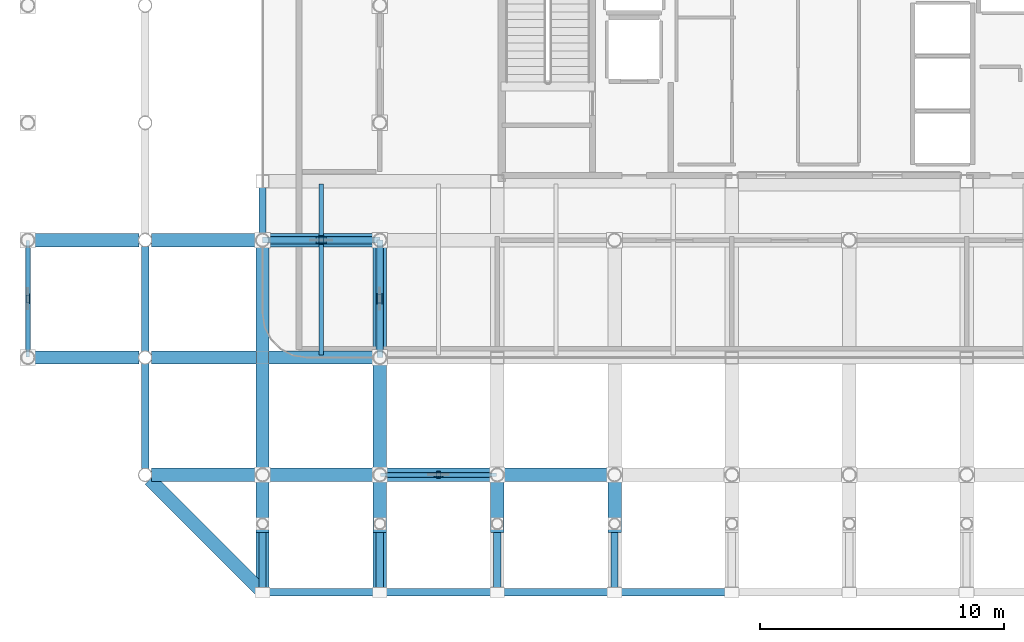
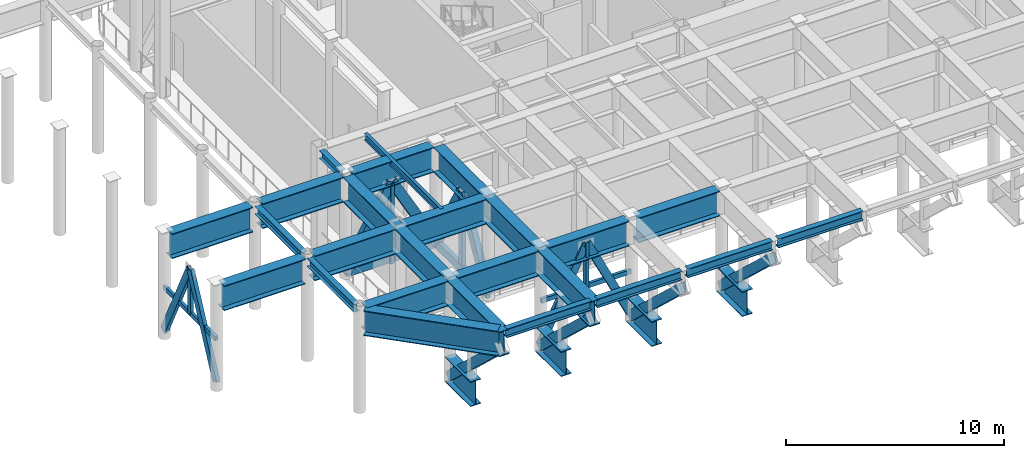
# One storey, part 4 of 20: 25 beams, 20 members.
"""IFC4 building model written with IfcOpenShell, lengths in metres."""

from ifc_helpers import new_model, si_unit, direction, frame, origin, origin_2d, place, context, subcontext, project, spatial, hollow_rectangle, i_section, extrude, material, material_profile, profile_set, type_object, element, save


model = new_model("IFC4")

# Units and contexts
model_context = context("Model", 3, precision=1e-05, world=origin(), true_north=direction((0.0, 1.0)))
body_context = subcontext(model_context, "Body", "Model", "MODEL_VIEW")
ifc_project = project(units=[si_unit("LENGTHUNIT", "METRE"), si_unit("AREAUNIT", "SQUARE_METRE"), si_unit("VOLUMEUNIT", "CUBIC_METRE"), si_unit("PLANEANGLEUNIT", "RADIAN"), si_unit("MASSUNIT", "GRAM", prefix="KILO")], contexts=[model_context])

# Site, building, storey
site_placement = place(None, origin())
site = spatial("IfcSite", under=ifc_project, at=site_placement, CompositionType="ELEMENT")
building_placement = place(site_placement, origin())
building = spatial("IfcBuilding", under=site, at=building_placement, Name="Kallvorn Hotel Tower", CompositionType="ELEMENT")
storey_placement = place(building_placement, frame((0.0, 0.0, 276.199951171875)))
storey = spatial("IfcBuildingStorey", under=building, at=storey_placement, Name="L69", CompositionType="ELEMENT", Elevation=276.199951171875)

# Beams
ifc_material_1 = material(Name="Structural steel S355JR", Category="steel")
ifc_material_profile_1 = material_profile(ifc_material_1, i_section(OverallWidth=0.300048828125, OverallDepth=0.43994140625, WebThickness=0.011474609375, FlangeThickness=0.02099609375, at=origin_2d()), Name="HE 450 A")
ifc_profile_set_1 = profile_set([ifc_material_profile_1], Name="Structural steel S355JR")
beam_type_1 = type_object("IfcBeamType", Name="BM_HE450A", PredefinedType="BEAM", material=ifc_profile_set_1)
for number, where, z_axis, x_axis, name in (
    (1, (-28.800048828125, -18.945556640625, 5.580078125), (0.0, 1.0, 0.0), (-1.0, 0.0, 0.0), "L70 Primary Y-Girder 89"),
    (2, (-28.800048828125, -14.1455078125, 5.580078125), (0.0, 1.0, 0.0), (-1.0, 0.0, 0.0), "L70 Primary Y-Girder 90"),
):
    element("IfcBeam", number, at=place(storey_placement, frame(where, z_axis=z_axis, x_axis=x_axis)), inside=storey, type_object=beam_type_1, Name=name, PredefinedType="BEAM", context=body_context, shape_type="SweptSolid", body=[
        extrude(i_section(OverallWidth=0.300048828125, OverallDepth=0.43994140625, WebThickness=0.011474609375, FlangeThickness=0.02099609375, at=origin_2d()), origin(), (0.0, 0.0, 1.0), 4.291015625),
    ])
beam_1_placement = place(storey_placement, frame((-24.0, -9.345458984375, 5.580078125), z_axis=(0.0, 1.0, 0.0), x_axis=(-1.0, 0.0, 0.0)))
element("IfcBeam", 3, at=beam_1_placement, inside=storey, type_object=beam_type_1, Name="L70 Primary Y-Girder 100", PredefinedType="BEAM", context=body_context, shape_type="SweptSolid", body=[
    extrude(i_section(OverallWidth=0.300048828125, OverallDepth=0.43994140625, WebThickness=0.011474609375, FlangeThickness=0.02099609375, at=origin_2d()), origin(), (0.0, 0.0, 1.0), 1.8955078125),
])
ifc_material_2 = material(Name="Structural steel S355JR", Category="steel")
ifc_material_profile_2 = material_profile(ifc_material_2, i_section(OverallWidth=0.300048828125, OverallDepth=0.5, WebThickness=0.014404296875, FlangeThickness=0.028076171875, at=origin_2d()), Name="HE 500 B")
ifc_profile_set_2 = profile_set([ifc_material_profile_2], Name="Structural steel S355JR")
beam_type_2 = type_object("IfcBeamType", Name="BM_HE500B", PredefinedType="SPANDREL", material=ifc_profile_set_2)
for number, where, z_axis, x_axis, name in (
    (4, (-23.85009765625, -24.0, 5.550048828125), (1.0, 0.0, 0.0), (0.0, 1.0, 0.0), "L70 Perimeter Spandrel 167"),
    (5, (-19.050048828125, -24.0, 5.550048828125), (1.0, 0.0, 0.0), (0.0, 1.0, 0.0), "L70 Perimeter Spandrel 168"),
    (6, (-14.25, -24.0, 5.550048828125), (1.0, 0.0, 0.0), (0.0, 1.0, 0.0), "L70 Perimeter Spandrel 169"),
    (7, (-9.449951171875, -24.0, 5.550048828125), (1.0, 0.0, 0.0), (0.0, 1.0, 0.0), "L70 Perimeter Spandrel 170"),
):
    element("IfcBeam", number, at=place(storey_placement, frame(where, z_axis=z_axis, x_axis=x_axis)), inside=storey, type_object=beam_type_2, Name=name, PredefinedType="SPANDREL", context=body_context, shape_type="SweptSolid", body=[
        extrude(i_section(OverallWidth=0.300048828125, OverallDepth=0.5, WebThickness=0.014404296875, FlangeThickness=0.028076171875, at=origin_2d()), origin(), (0.0, 0.0, 1.0), 4.5),
    ])
ifc_material_3 = material(Name="Structural steel S355JR", Category="steel")
ifc_material_profile_3 = material_profile(ifc_material_3, i_section(OverallWidth=0.169921875, OverallDepth=0.360107421875, WebThickness=0.008056640625, FlangeThickness=0.0126953125, at=origin_2d()), Name="IPE 360")
ifc_profile_set_3 = profile_set([ifc_material_profile_3], Name="Structural steel S355JR")
beam_type_3 = type_object("IfcBeamType", Name="BM_IPE360", PredefinedType="JOIST", material=ifc_profile_set_3)
beam_2_placement = place(storey_placement, frame((-21.60009765625, -14.300048828125, 5.6201171875), z_axis=(0.0, 1.0, 0.0), x_axis=(-1.0, 0.0, 0.0)))
element("IfcBeam", 8, at=beam_2_placement, inside=storey, type_object=beam_type_3, Name="L70 Secondary Composite Joist 203", PredefinedType="JOIST", context=body_context, shape_type="SweptSolid", body=[
    extrude(i_section(OverallWidth=0.169921875, OverallDepth=0.360107421875, WebThickness=0.008056640625, FlangeThickness=0.0126953125, at=origin_2d()), origin(), (0.0, 0.0, 1.0), 7.0),
])
ifc_material_4 = material(Name="Structural steel S355JR", Category="steel")
ifc_material_profile_4 = material_profile(ifc_material_4, i_section(OverallWidth=0.550048828125, OverallDepth=1.39990234375, WebThickness=0.02490234375, FlangeThickness=0.044921875, at=origin_2d()), Name="PG 1400x550x25x45")
ifc_profile_set_4 = profile_set([ifc_material_profile_4], Name="Structural steel S355JR")
beam_type_4 = type_object("IfcBeamType", Name="BM_PG_1400", PredefinedType="BEAM", material=ifc_profile_set_4)
beam_3_placement = place(storey_placement, frame((-24.0, -9.869384765625, 5.10009765625), z_axis=(0.0, -1.0, 0.0), x_axis=(1.0, 0.0, 0.0)))
element("IfcBeam", 9, at=beam_3_placement, inside=storey, type_object=beam_type_4, Name="L70 Continuous Cantilever Transfer Girder 01", PredefinedType="BEAM", context=body_context, shape_type="SweptSolid", body=[
    extrude(i_section(OverallWidth=0.550048828125, OverallDepth=1.39990234375, WebThickness=0.02490234375, FlangeThickness=0.044921875, at=origin_2d()), origin(), (0.0, 0.0, 1.0), 14.310546875),
])
beam_4_placement = place(storey_placement, frame((-24.0, -19.199951171875, 0.719970703125), z_axis=(0.0, -1.0, 0.0), x_axis=(1.0, 0.0, 0.0)))
element("IfcBeam", 10, at=beam_4_placement, inside=storey, type_object=beam_type_4, Name="L70 Cantilever Haunch Corbel 01", PredefinedType="BEAM", context=body_context, shape_type="SweptSolid", body=[
    extrude(i_section(OverallWidth=0.550048828125, OverallDepth=1.39990234375, WebThickness=0.02490234375, FlangeThickness=0.044921875, at=origin_2d()), origin(), (0.0, 0.0, 1.0), 2.35009765625),
])
beam_5_placement = place(storey_placement, frame((-19.199951171875, -9.869384765625, 5.10009765625), z_axis=(0.0, -1.0, 0.0), x_axis=(1.0, 0.0, 0.0)))
element("IfcBeam", 11, at=beam_5_placement, inside=storey, type_object=beam_type_4, Name="L70 Continuous Cantilever Transfer Girder 02", PredefinedType="BEAM", context=body_context, shape_type="SweptSolid", body=[
    extrude(i_section(OverallWidth=0.550048828125, OverallDepth=1.39990234375, WebThickness=0.02490234375, FlangeThickness=0.044921875, at=origin_2d()), origin(), (0.0, 0.0, 1.0), 14.310546875),
])
for number, where, z_axis, x_axis, name in (
    (12, (-19.199951171875, -19.199951171875, 0.719970703125), (0.0, -1.0, 0.0), (1.0, 0.0, 0.0), "L70 Cantilever Haunch Corbel 02"),
    (13, (-14.39990234375, -19.199951171875, 0.719970703125), (0.0, -1.0, 0.0), (1.0, 0.0, 0.0), "L70 Cantilever Haunch Corbel 03"),
    (14, (-9.60009765625, -19.199951171875, 0.719970703125), (0.0, -1.0, 0.0), (1.0, 0.0, 0.0), "L70 Cantilever Haunch Corbel 04"),
):
    element("IfcBeam", number, at=place(storey_placement, frame(where, z_axis=z_axis, x_axis=x_axis)), inside=storey, type_object=beam_type_4, Name=name, PredefinedType="BEAM", context=body_context, shape_type="SweptSolid", body=[
        extrude(i_section(OverallWidth=0.550048828125, OverallDepth=1.39990234375, WebThickness=0.02490234375, FlangeThickness=0.044921875, at=origin_2d()), origin(), (0.0, 0.0, 1.0), 2.35009765625),
    ])
for number, where, z_axis, x_axis, name in (
    (15, (-28.54541015625, -19.199951171875, 5.10009765625), (1.0, 0.0, 0.0), (0.0, 1.0, 0.0), "L70 Primary X-Girder 17"),
    (16, (-23.74560546875, -19.199951171875, 5.10009765625), (1.0, 0.0, 0.0), (0.0, 1.0, 0.0), "L70 Primary X-Girder 18"),
    (17, (-18.945556640625, -19.199951171875, 5.10009765625), (1.0, 0.0, 0.0), (0.0, 1.0, 0.0), "L70 Primary X-Girder 19"),
    (18, (-14.1455078125, -19.199951171875, 5.10009765625), (1.0, 0.0, 0.0), (0.0, 1.0, 0.0), "L70 Primary X-Girder 20"),
    (19, (-33.345458984375, -14.39990234375, 5.10009765625), (1.0, 0.0, 0.0), (0.0, 1.0, 0.0), "L70 Primary X-Girder 29"),
):
    element("IfcBeam", number, at=place(storey_placement, frame(where, z_axis=z_axis, x_axis=x_axis)), inside=storey, type_object=beam_type_4, Name=name, PredefinedType="BEAM", context=body_context, shape_type="SweptSolid", body=[
        extrude(i_section(OverallWidth=0.550048828125, OverallDepth=1.39990234375, WebThickness=0.02490234375, FlangeThickness=0.044921875, at=origin_2d()), origin(), (0.0, 0.0, 1.0), 4.291015625),
    ])
for number, where, z_axis, x_axis, name in (
    (20, (-28.54541015625, -14.39990234375, 5.10009765625), (1.0, 0.0, 0.0), (0.0, 1.0, 0.0), "L70 Primary X-Girder 30"),
    (21, (-23.75, -14.39990234375, 5.10009765625), (1.0, 0.0, 0.0), (0.0, 1.0, 0.0), "L70 Primary X-Girder 31"),
):
    element("IfcBeam", number, at=place(storey_placement, frame(where, z_axis=z_axis, x_axis=x_axis)), inside=storey, type_object=beam_type_4, Name=name, PredefinedType="BEAM", context=body_context, shape_type="SweptSolid", body=[
        extrude(i_section(OverallWidth=0.550048828125, OverallDepth=1.39990234375, WebThickness=0.02490234375, FlangeThickness=0.044921875, at=origin_2d()), origin(), (0.0, 0.0, 1.0), 4.29541015625),
    ])
for number, where, z_axis, x_axis, name in (
    (22, (-33.345458984375, -9.60009765625, 5.10009765625), (1.0, 0.0, 0.0), (0.0, 1.0, 0.0), "L70 Primary X-Girder 39"),
    (23, (-28.54541015625, -9.60009765625, 5.10009765625), (1.0, 0.0, 0.0), (0.0, 1.0, 0.0), "L70 Primary X-Girder 40"),
    (24, (-23.74560546875, -9.60009765625, 5.10009765625), (1.0, 0.0, 0.0), (0.0, 1.0, 0.0), "L70 Primary X-Girder 41"),
):
    element("IfcBeam", number, at=place(storey_placement, frame(where, z_axis=z_axis, x_axis=x_axis)), inside=storey, type_object=beam_type_4, Name=name, PredefinedType="BEAM", context=body_context, shape_type="SweptSolid", body=[
        extrude(i_section(OverallWidth=0.550048828125, OverallDepth=1.39990234375, WebThickness=0.02490234375, FlangeThickness=0.044921875, at=origin_2d()), origin(), (0.0, 0.0, 1.0), 4.291015625),
    ])
beam_6_placement = place(storey_placement, frame((-28.609375, -19.390625, 5.10009765625), z_axis=(0.707106781187, -0.707106781187, 0.0), x_axis=(0.707106781187, 0.707106781187, 0.0)))
element("IfcBeam", 25, at=beam_6_placement, inside=storey, type_object=beam_type_4, Name="L70 Rounded Corner Tie Beam 199", PredefinedType="BEAM", context=body_context, shape_type="SweptSolid", body=[
    extrude(i_section(OverallWidth=0.550048828125, OverallDepth=1.39990234375, WebThickness=0.02490234375, FlangeThickness=0.044921875, at=origin_2d()), origin(), (0.0, 0.0, 1.0), 6.368408203125),
])

# Members
ifc_material_5 = material(Name="Structural steel S355J2H", Category="steel")
ifc_material_profile_5 = material_profile(ifc_material_5, hollow_rectangle(XDim=0.199951171875, YDim=0.39990234375, WallThickness=0.02001953125, at=origin_2d()), Name="RHS 400x200x20")
ifc_profile_set_5 = profile_set([ifc_material_profile_5], Name="Structural steel S355J2H")
member_type_1 = type_object("IfcMemberType", Name="MBR_BELT_RHS400", PredefinedType="BRACE", material=ifc_profile_set_5)
for number, where, z_axis, x_axis, name in (
    (26, (-19.191162109375, -19.199951171875, 0.3681640625), (0.440591160242, 0.0, 0.897707875378), (0.0, 1.0, 0.0), "L69 Belt Truss Diagonal 1A"),
    (27, (-14.40869140625, -19.199951171875, 0.3681640625), (-0.440627546055, 0.0, 0.897690016463), (0.0, -1.0, 0.0), "L69 Belt Truss Diagonal 1B"),
    (28, (-33.60009765625, -14.39111328125, 0.3681640625), (0.0, 0.440591160242, 0.897707875378), (-1.0, 0.0, 0.0), "L69 Belt Truss Diagonal 5A"),
    (29, (-33.60009765625, -9.60888671875, 0.3681640625), (0.0, -0.440591160242, 0.897707875378), (1.0, 0.0, 0.0), "L69 Belt Truss Diagonal 5B"),
):
    element("IfcMember", number, at=place(storey_placement, frame(where, z_axis=z_axis, x_axis=x_axis)), inside=storey, type_object=member_type_1, Name=name, PredefinedType="BRACE", context=body_context, shape_type="SweptSolid", body=[
        extrude(hollow_rectangle(XDim=0.199951171875, YDim=0.39990234375, WallThickness=0.02001953125, at=origin_2d()), origin(), (0.0, 0.0, 1.0), 5.4072265625),
    ])
ifc_material_6 = material(Name="Structural steel S355J2H", Category="steel")
ifc_material_profile_6 = material_profile(ifc_material_6, hollow_rectangle(XDim=0.25, YDim=0.449951171875, WallThickness=0.02197265625, at=origin_2d()), Name="RHS 450x250x22")
ifc_profile_set_6 = profile_set([ifc_material_profile_6], Name="Structural steel S355J2H")
member_type_2 = type_object("IfcMemberType", Name="MBR_CHORD_RHS450", PredefinedType="CHORD", material=ifc_profile_set_6)
member_1_placement = place(storey_placement, frame((-24.0, -9.60009765625, 0.239990234375), z_axis=(1.0, 0.0, 0.0), x_axis=(0.0, 1.0, 0.0)))
element("IfcMember", 30, at=member_1_placement, inside=storey, type_object=member_type_2, Name="L69 Outrigger Truss Bottom Chord OTW1", PredefinedType="CHORD", context=body_context, shape_type="SweptSolid", body=[
    extrude(hollow_rectangle(XDim=0.25, YDim=0.449951171875, WallThickness=0.02197265625, at=origin_2d()), origin(), (0.0, 0.0, 1.0), 4.800048828125),
])
member_2_placement = place(storey_placement, frame((-19.199951171875, -14.39990234375, 0.239990234375), z_axis=(0.0, 1.0, 0.0), x_axis=(-1.0, 0.0, 0.0)))
element("IfcMember", 31, at=member_2_placement, inside=storey, type_object=member_type_2, Name="L69 Outrigger Truss Bottom Chord OTS1", PredefinedType="CHORD", context=body_context, shape_type="SweptSolid", body=[
    extrude(hollow_rectangle(XDim=0.25, YDim=0.449951171875, WallThickness=0.02197265625, at=origin_2d()), origin(), (0.0, 0.0, 1.0), 4.7998046875),
])
ifc_material_7 = material(Name="Structural steel S355J2H", Category="steel")
ifc_material_profile_7 = material_profile(ifc_material_7, hollow_rectangle(XDim=0.14990234375, YDim=0.25, WallThickness=0.010009765625, at=origin_2d()), Name="RHS 250x150x10")
ifc_profile_set_7 = profile_set([ifc_material_profile_7], Name="Structural steel S355J2H")
member_type_3 = type_object("IfcMemberType", Name="MBR_COLLAR_RHS250", PredefinedType="COLLAR", material=ifc_profile_set_7)
member_3_placement = place(storey_placement, frame((-19.179931640625, -19.199951171875, 2.775146484375), z_axis=(1.0, 0.0, 0.0), x_axis=(0.0, 1.0, 0.0)))
element("IfcMember", 32, at=member_3_placement, inside=storey, type_object=member_type_3, Name="L69 Belt Truss Tie Collar 1", PredefinedType="COLLAR", context=body_context, shape_type="SweptSolid", body=[
    extrude(hollow_rectangle(XDim=0.14990234375, YDim=0.25, WallThickness=0.010009765625, at=origin_2d()), origin(), (0.0, 0.0, 1.0), 4.760009765625),
])
member_4_placement = place(storey_placement, frame((-33.60009765625, -14.3798828125, 2.775146484375), z_axis=(0.0, 1.0, 0.0), x_axis=(-1.0, 0.0, 0.0)))
element("IfcMember", 33, at=member_4_placement, inside=storey, type_object=member_type_3, Name="L69 Belt Truss Tie Collar 5", PredefinedType="COLLAR", context=body_context, shape_type="SweptSolid", body=[
    extrude(hollow_rectangle(XDim=0.14990234375, YDim=0.25, WallThickness=0.010009765625, at=origin_2d()), origin(), (0.0, 0.0, 1.0), 4.759765625),
])
ifc_material_8 = material(Name="Structural steel S355J2H", Category="steel")
ifc_material_profile_8 = material_profile(ifc_material_8, hollow_rectangle(XDim=0.300048828125, YDim=0.5, WallThickness=0.02490234375, at=origin_2d()), Name="RHS 500x300x25")
ifc_profile_set_8 = profile_set([ifc_material_profile_8], Name="Structural steel S355J2H")
member_type_4 = type_object("IfcMemberType", Name="MBR_OUTRIGGER_RHS500", PredefinedType="BRACE", material=ifc_profile_set_8)
for number, where, z_axis, x_axis, name in (
    (34, (-24.0, -19.199951171875, 0.25), (0.0, -0.729540675584, 0.683937425989), (1.0, 0.0, 0.0), "L70 Exoskeleton Cantilever Raking Strut 01"),
    (35, (-19.199951171875, -19.199951171875, 0.25), (0.0, -0.729540675584, 0.683937425989), (1.0, 0.0, 0.0), "L70 Exoskeleton Cantilever Raking Strut 02"),
    (36, (-14.39990234375, -19.199951171875, 0.25), (0.0, -0.729540675584, 0.683937425989), (1.0, 0.0, 0.0), "L70 Exoskeleton Cantilever Raking Strut 03"),
    (37, (-9.60009765625, -19.199951171875, 0.25), (0.0, -0.729540675584, 0.683937425989), (1.0, 0.0, 0.0), "L70 Exoskeleton Cantilever Raking Strut 04"),
):
    element("IfcMember", number, at=place(storey_placement, frame(where, z_axis=z_axis, x_axis=x_axis)), inside=storey, type_object=member_type_4, Name=name, PredefinedType="BRACE", context=body_context, shape_type="SweptSolid", body=[
        extrude(hollow_rectangle(XDim=0.300048828125, YDim=0.5, WallThickness=0.02490234375, at=origin_2d()), origin(), (0.0, 0.0, 1.0), 6.57958984375),
    ])
member_5_placement = place(storey_placement, frame((-24.0, -9.60009765625, 0.239990234375), z_axis=(0.487346818809, 0.0, 0.873208496407), x_axis=(0.0, 1.0, 0.0)))
element("IfcMember", 38, at=member_5_placement, inside=storey, type_object=member_type_4, Name="L69 Outrigger Truss Diagonal OTW1A", PredefinedType="BRACE", context=body_context, shape_type="SweptSolid", body=[
    extrude(hollow_rectangle(XDim=0.300048828125, YDim=0.5, WallThickness=0.02490234375, at=origin_2d()), origin(), (0.0, 0.0, 1.0), 4.92431640625),
])
member_6_placement = place(storey_placement, frame((-19.199951171875, -9.60009765625, 0.239990234375), z_axis=(-0.487384619939, 0.0, 0.873187398127), x_axis=(0.0, -1.0, 0.0)))
element("IfcMember", 39, at=member_6_placement, inside=storey, type_object=member_type_4, Name="L69 Outrigger Truss Diagonal OTW1B", PredefinedType="BRACE", context=body_context, shape_type="SweptSolid", body=[
    extrude(hollow_rectangle(XDim=0.300048828125, YDim=0.5, WallThickness=0.02490234375, at=origin_2d()), origin(), (0.0, 0.0, 1.0), 4.924560546875),
])
for number, where, z_axis, x_axis, name in (
    (40, (-19.199951171875, -14.39990234375, 0.239990234375), (0.0, 0.487346818809, 0.873208496407), (-1.0, 0.0, 0.0), "L69 Outrigger Truss Diagonal OTS1A"),
    (41, (-19.199951171875, -9.60009765625, 0.239990234375), (0.0, -0.487346818809, 0.873208496407), (1.0, 0.0, 0.0), "L69 Outrigger Truss Diagonal OTS1B"),
):
    element("IfcMember", number, at=place(storey_placement, frame(where, z_axis=z_axis, x_axis=x_axis)), inside=storey, type_object=member_type_4, Name=name, PredefinedType="BRACE", context=body_context, shape_type="SweptSolid", body=[
        extrude(hollow_rectangle(XDim=0.300048828125, YDim=0.5, WallThickness=0.02490234375, at=origin_2d()), origin(), (0.0, 0.0, 1.0), 4.92431640625),
    ])
ifc_material_9 = material(Name="Structural steel S355J2H", Category="steel")
ifc_material_profile_9 = material_profile(ifc_material_9, hollow_rectangle(XDim=0.199951171875, YDim=0.35009765625, WallThickness=0.01611328125, at=origin_2d()), Name="RHS 350x200x16")
ifc_profile_set_9 = profile_set([ifc_material_profile_9], Name="Structural steel S355J2H")
member_type_5 = type_object("IfcMemberType", Name="MBR_POST_RHS350", PredefinedType="POST", material=ifc_profile_set_9)
for number, where, z_axis, x_axis, name in (
    (42, (-21.60009765625, -9.60009765625, -0.0400390625), (0.0, 0.0, 1.0), (1.0, 0.0, 0.0), "L69 Outrigger Truss Post OTW1"),
    (43, (-19.199951171875, -12.0, -0.0400390625), (0.0, 0.0, 1.0), (1.0, 0.0, 0.0), "L69 Outrigger Truss Post OTS1"),
):
    element("IfcMember", number, at=place(storey_placement, frame(where, z_axis=z_axis, x_axis=x_axis)), inside=storey, type_object=member_type_5, Name=name, PredefinedType="POST", context=body_context, shape_type="SweptSolid", body=[
        extrude(hollow_rectangle(XDim=0.199951171875, YDim=0.35009765625, WallThickness=0.01611328125, at=origin_2d()), origin(), (0.0, 0.0, 1.0), 4.52001953125),
    ])
ifc_material_10 = material(Name="Structural steel S355J2H", Category="steel")
ifc_material_profile_10 = material_profile(ifc_material_10, hollow_rectangle(XDim=0.14990234375, YDim=0.300048828125, WallThickness=0.012451171875, at=origin_2d()), Name="RHS 300x150x12.5")
ifc_profile_set_10 = profile_set([ifc_material_profile_10], Name="Structural steel S355J2H")
member_type_6 = type_object("IfcMemberType", Name="MBR_STRUT_RHS300", PredefinedType="STRUT", material=ifc_profile_set_10)
for number, where, z_axis, x_axis, name in (
    (44, (-16.800048828125, -19.199951171875, 2.72509765625), (0.0, 0.0, 1.0), (1.0, 0.0, 0.0), "L69 Belt Truss Strut 1"),
    (45, (-33.60009765625, -12.0, 2.72509765625), (0.0, 0.0, 1.0), (1.0, 0.0, 0.0), "L69 Belt Truss Strut 5"),
):
    element("IfcMember", number, at=place(storey_placement, frame(where, z_axis=z_axis, x_axis=x_axis)), inside=storey, type_object=member_type_6, Name=name, PredefinedType="STRUT", context=body_context, shape_type="SweptSolid", body=[
        extrude(hollow_rectangle(XDim=0.14990234375, YDim=0.300048828125, WallThickness=0.012451171875, at=origin_2d()), origin(), (0.0, 0.0, 1.0), 2.554931640625),
    ])

save(model, "model.ifc")
